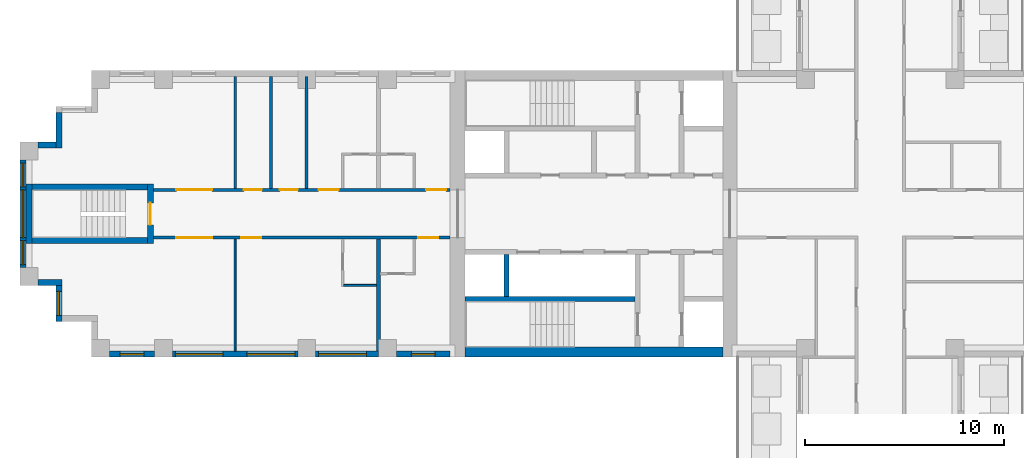
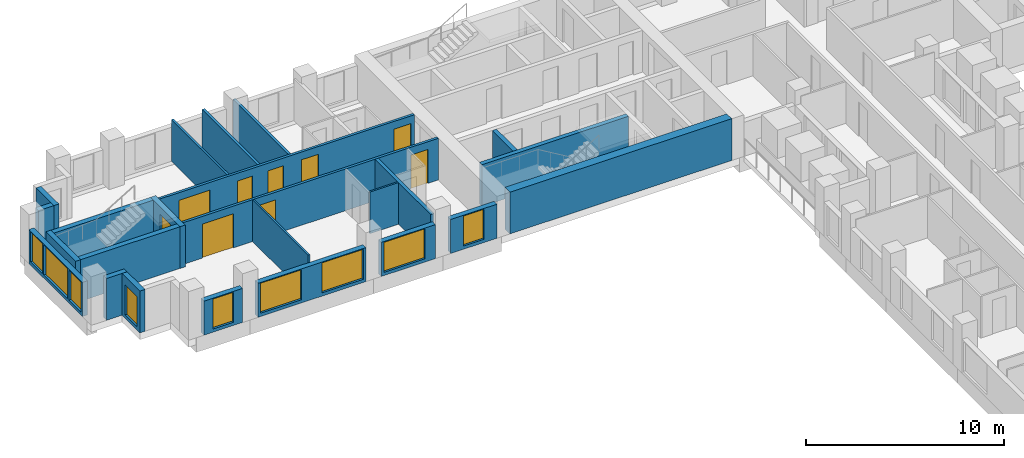
# One storey, part 5 of 15: 24 walls, 9 doors, 9 windows, 18 openings.
"""IFC4 building model written with IfcOpenShell, lengths in metres."""

import ifcopenshell
import ifcopenshell.guid

model = None  # the IFC model being written
_history = None  # IfcOwnerHistory: only IFC2X3 demands one
_inside = {}  # id of a spatial element -> (the spatial element, [elements in it])
_under = {}  # id of a project, library or spatial element -> (it, [spatial elements below it])
_declared = {}  # id of a project -> (the project, [libraries it declares])
_typed = {}  # id of a type object -> (the type object, [elements of that type])
_made_of = {}  # id of a material, layer set ... -> (it, [elements and type objects made of it])


def new_model(schema):
    """Start an empty IFC model of exactly this schema.

    Asked for "IFC4X3", IfcOpenShell would pick the latest addendum, in which some entities
    have other attributes; the version numbers below select the first issue.
    IFC2X3 requires an IfcOwnerHistory on every rooted entity: one is made here for all.
    """
    global model, _history
    if schema == "IFC4X3":
        model = ifcopenshell.file(schema_version=(4, 3, 0, 0))
    else:
        model = ifcopenshell.file(schema=schema)
    _inside.clear()
    _under.clear()
    _declared.clear()
    _typed.clear()
    _made_of.clear()
    _history = None
    if model.schema == "IFC2X3":
        org = make("IfcOrganization", Name="unknown")
        user = make(
            "IfcPersonAndOrganization",
            ThePerson=make("IfcPerson", FamilyName="unknown"),
            TheOrganization=org,
        )
        app = make(
            "IfcApplication",
            ApplicationDeveloper=org,
            Version="unknown",
            ApplicationFullName="unknown",
            ApplicationIdentifier="unknown",
        )
        _history = make(
            "IfcOwnerHistory",
            OwningUser=user,
            OwningApplication=app,
            ChangeAction="ADDED",
            CreationDate=0,
        )
    return model


def make(cls, **values):
    """One entity of the class cls with the attributes given. An attribute that is None is left unset."""
    return model.create_entity(
        cls, **{name: value for name, value in values.items() if value is not None}
    )


def rooted(cls, **values):
    """An entity with a GlobalId (a new one), such as an element, a storey or a relation."""
    return make(cls, GlobalId=ifcopenshell.guid.new(), OwnerHistory=_history, **values)


def si_unit(unit_type, name, prefix=None):
    """IfcSIUnit, for example si_unit("LENGTHUNIT", "METRE", prefix="MILLI")."""
    return make("IfcSIUnit", UnitType=unit_type, Prefix=prefix, Name=name)


def assignment(units):
    """IfcUnitAssignment: the units of a project."""
    return None if units is None else make("IfcUnitAssignment", Units=units)


def point(xyz):
    """IfcCartesianPoint."""
    return None if xyz is None else make("IfcCartesianPoint", Coordinates=xyz)


def direction(xyz):
    """IfcDirection."""
    return None if xyz is None else make("IfcDirection", DirectionRatios=xyz)


def frame(location, z_axis=None, x_axis=None):
    """IfcAxis2Placement3D, a coordinate frame: its origin and axes. An axis left out is left unset."""
    return make(
        "IfcAxis2Placement3D",
        Location=point(location),
        Axis=direction(z_axis),
        RefDirection=direction(x_axis),
    )


def frame_2d(location, x_axis=None):
    """IfcAxis2Placement2D, a coordinate frame in the plane: its origin and x axis."""
    return make(
        "IfcAxis2Placement2D", Location=point(location), RefDirection=direction(x_axis)
    )


def origin():
    """The frame at (0, 0, 0) with its axes left unset."""
    return frame((0.0, 0.0, 0.0))


def place(relative_to, where):
    """IfcLocalPlacement: puts the frame where relative to a parent placement (None: the world)."""
    return make(
        "IfcLocalPlacement", PlacementRelTo=relative_to, RelativePlacement=where
    )


def context(
    kind, dimensions, precision=None, world=None, true_north=None, identifier=None
):
    """IfcGeometricRepresentationContext, for example the 3D "Model" context."""
    return make(
        "IfcGeometricRepresentationContext",
        ContextIdentifier=identifier,
        ContextType=kind,
        CoordinateSpaceDimension=dimensions,
        Precision=precision,
        WorldCoordinateSystem=world,
        TrueNorth=true_north,
    )


def subcontext(parent, identifier, kind, view, scale=None):
    """IfcGeometricRepresentationSubContext, for example "Body" below "Model"."""
    return make(
        "IfcGeometricRepresentationSubContext",
        ContextIdentifier=identifier,
        ContextType=kind,
        ParentContext=parent,
        TargetScale=scale,
        TargetView=view,
    )


def project(units=None, contexts=None):
    """IfcProject with its units and contexts."""
    return rooted(
        "IfcProject",
        Name="project",
        RepresentationContexts=contexts,
        UnitsInContext=assignment(units),
    )


def spatial(cls, under=None, at=None, **own):
    """A site, building, storey or space (cls), placed at a placement, below another one or the project."""
    s = rooted(cls, ObjectPlacement=at, **own)
    if under is not None:
        _under.setdefault(under.id(), (under, []))[1].append(s)
    return s


def profile(cls, at=None, kind="AREA", **sizes):
    """A parametric profile (cls). Its sizes go by their IFC names, for example OverallWidth=200.0."""
    return make(cls, ProfileType=kind, Position=at, **sizes)


def rectangle(**sizes):
    """IfcRectangleProfileDef."""
    return profile("IfcRectangleProfileDef", **sizes)


def extrude(swept, where, along, depth):
    """IfcExtrudedAreaSolid: the profile swept, set in the frame where, extruded along a direction by depth."""
    return make(
        "IfcExtrudedAreaSolid",
        SweptArea=swept,
        Position=where,
        ExtrudedDirection=direction(along),
        Depth=depth,
    )


def shape(context_of_items, identifier, shape_type, items):
    """IfcShapeRepresentation: the items that make up one representation, for example the "Body"."""
    return make(
        "IfcShapeRepresentation",
        ContextOfItems=context_of_items,
        RepresentationIdentifier=identifier,
        RepresentationType=shape_type,
        Items=items,
    )


def material(Name=None, Category=None):
    """IfcMaterial."""
    return make("IfcMaterial", Name=Name, Category=Category)


def layer(
    of_material, thickness, ventilated=None, Name=None, Category=None, Priority=None
):
    """IfcMaterialLayer: one layer of a wall or slab, of a material (None: an air gap)."""
    return make(
        "IfcMaterialLayer",
        Material=of_material,
        LayerThickness=thickness,
        IsVentilated=ventilated,
        Name=Name,
        Category=Category,
        Priority=Priority,
    )


def layer_set(layers, Name=None):
    """IfcMaterialLayerSet."""
    return make("IfcMaterialLayerSet", MaterialLayers=layers, LayerSetName=Name)


def made_of(thing, what):
    """Note that an element or type object is made of a material, layer set ...; save() writes the relation."""
    if what is not None:
        _made_of.setdefault(what.id(), (what, []))[1].append(thing)
    return thing


def type_object(cls, material=None, **own):
    """A type object (cls), such as IfcWallType, which elements share."""
    return made_of(rooted(cls, **own), material)


def element(
    cls,
    number,
    at=None,
    inside=None,
    cuts=None,
    type_object=None,
    material=None,
    context=None,
    identifier="Body",
    shape_type=None,
    held_by="IfcProductDefinitionShape",
    body=None,
    shapes=None,
    **own,
):
    """One element of the class cls, such as IfcWall. Its Tag is "e" and its number.

    at: its placement. inside: the storey or other place that contains it. cuts: it is an
    opening in that element (IfcRelVoidsElement). A single representation is given by context,
    identifier, shape_type and body (its items); several are given by shapes. held_by: the class
    of the entity that holds the representations. save() writes the other relations.
    """
    e = rooted(cls, Tag="e%d" % number, ObjectPlacement=at, **own)
    if body is not None:
        shapes = [shape(context, identifier, shape_type, body)]
    if shapes is not None:
        e.Representation = make(held_by, Representations=shapes)
    if inside is not None:
        _inside.setdefault(inside.id(), (inside, []))[1].append(e)
    if cuts is not None:
        rooted(
            "IfcRelVoidsElement", RelatingBuildingElement=cuts, RelatedOpeningElement=e
        )
    if type_object is not None:
        _typed.setdefault(type_object.id(), (type_object, []))[1].append(e)
    return made_of(e, material)


def fill(opening, filler):
    """IfcRelFillsElement: the door or window that sits in an opening."""
    return rooted(
        "IfcRelFillsElement",
        RelatingOpeningElement=opening,
        RelatedBuildingElement=filler,
    )


def aggregate(whole, parts):
    """IfcRelAggregates: a whole, such as a stair, and the parts it consists of."""
    return rooted("IfcRelAggregates", RelatingObject=whole, RelatedObjects=parts)


def save(model, path):
    """Write the relations noted so far, then the file.

    IfcRelAggregates (storeys below a building ...), IfcRelContainedInSpatialStructure (elements
    in a storey), IfcRelDefinesByType, IfcRelAssociatesMaterial and IfcRelDeclares: one each for
    every whole, place, type object, material and project.
    """
    for whole, parts in _under.values():
        aggregate(whole, parts)
    for where, things in _inside.values():
        rooted(
            "IfcRelContainedInSpatialStructure",
            RelatedElements=things,
            RelatingStructure=where,
        )
    for kind, things in _typed.values():
        rooted("IfcRelDefinesByType", RelatedObjects=things, RelatingType=kind)
    for what, things in _made_of.values():
        rooted("IfcRelAssociatesMaterial", RelatedObjects=things, RelatingMaterial=what)
    for by, libraries in _declared.values():
        rooted("IfcRelDeclares", RelatingContext=by, RelatedDefinitions=libraries)
    model.write(path)


model = new_model("IFC4")

# Units and contexts
model_context = context("Model", 3, precision=1e-05, world=origin(), true_north=direction((0.0, 1.0)))
body_context = subcontext(model_context, "Body", "Model", "MODEL_VIEW")
ifc_project = project(units=[si_unit("LENGTHUNIT", "METRE"), si_unit("AREAUNIT", "SQUARE_METRE"), si_unit("VOLUMEUNIT", "CUBIC_METRE"), si_unit("PLANEANGLEUNIT", "RADIAN"), si_unit("MASSUNIT", "GRAM", prefix="KILO")], contexts=[model_context])

# Site, building, storey
site_placement = place(None, origin())
site = spatial("IfcSite", under=ifc_project, at=site_placement, CompositionType="ELEMENT")
building_placement = place(site_placement, origin())
building = spatial("IfcBuilding", under=site, at=building_placement, Name="Fustian Cross Tower", CompositionType="ELEMENT")
storey_placement = place(building_placement, frame((0.0, 0.0, 47.699951171875)))
storey = spatial("IfcBuildingStorey", under=building, at=storey_placement, Name="L14", CompositionType="ELEMENT", Elevation=47.699951171875)

# Wall, openings, doors
ifc_material_1 = material(Name="Plasterboard on steel stud", Category="steel")
ifc_layer_1 = layer(ifc_material_1, 0.14990234375)
ifc_layer_set_1 = layer_set([ifc_layer_1], Name="Plasterboard on steel stud")
wall_type_1 = type_object("IfcWallType", Name="COMPARTMENT WALL 150 EI 60", PredefinedType="PARTITIONING", material=ifc_layer_set_1)
wall_1_placement = place(storey_placement, frame((-36.5, -1.199951171875, 0.0), z_axis=(0.0, 0.0, 1.0), x_axis=(1.0, 0.0, 0.0)))
wall_1 = element("IfcWall", 1, at=wall_1_placement, inside=storey, type_object=wall_type_1, Name="Partition 1", PredefinedType="PARTITIONING", context=body_context, shape_type="SweptSolid", body=[
    extrude(rectangle(XDim=14.89990234375, YDim=0.14990234375, at=frame_2d((7.449951171875, 0.0))), origin(), (0.0, 0.0, 1.0), 2.574951171875),
])
opening_1_placement = place(wall_1_placement, frame((13.300048828125, 0.0, 0.0)))
opening_1 = element("IfcOpeningElement", 2, at=opening_1_placement, cuts=wall_1, Name="Opening D08037", PredefinedType="OPENING", context=body_context, shape_type="SweptSolid", body=[
    extrude(rectangle(XDim=1.0, YDim=2.10009765625, at=frame_2d((0.5, 1.050048828125))), frame((0.0, 0.0849609375, 0.0), z_axis=(0.0, -1.0, 0.0), x_axis=(1.0, 0.0, 0.0)), (0.0, 0.0, 1.0), 0.169921875),
])
opening_2_placement = place(wall_1_placement, frame((4.409912109375, 0.0, 0.0)))
opening_2 = element("IfcOpeningElement", 3, at=opening_2_placement, cuts=wall_1, Name="Opening D08039", PredefinedType="OPENING", context=body_context, shape_type="SweptSolid", body=[
    extrude(rectangle(XDim=1.0, YDim=2.10009765625, at=frame_2d((0.5, 1.050048828125))), frame((0.0, 0.0849609375, 0.0), z_axis=(0.0, -1.0, 0.0), x_axis=(1.0, 0.0, 0.0)), (0.0, 0.0, 1.0), 0.169921875),
])
opening_3_placement = place(wall_1_placement, frame((1.14990234375, 0.0, 0.0)))
opening_3 = element("IfcOpeningElement", 4, at=opening_3_placement, cuts=wall_1, Name="Opening D08040", PredefinedType="OPENING", context=body_context, shape_type="SweptSolid", body=[
    extrude(rectangle(XDim=1.800048828125, YDim=2.10009765625, at=frame_2d((0.89990234375, 1.050048828125))), frame((0.0, 0.0849609375, 0.0), z_axis=(0.0, -1.0, 0.0), x_axis=(1.0, 0.0, 0.0)), (0.0, 0.0, 1.0), 0.169921875),
])
ifc_material_2 = material(Name="Timber fire door set", Category="wood")
door_type_1 = type_object("IfcDoorType", Name="FIRE DOUBLE DOOR 1800 FD30S", OperationType="DOUBLE_DOOR_DOUBLE_SWING", PredefinedType="DOOR", material=ifc_material_2)
door_1_placement = place(opening_3_placement, origin())
door_1 = element("IfcDoor", 5, at=door_1_placement, inside=storey, type_object=door_type_1, Name="Door D08040", OperationType="DOUBLE_DOOR_DOUBLE_SWING", OverallHeight=2.10009765625, OverallWidth=1.800048828125, PredefinedType="DOOR", context=body_context, shape_type="SweptSolid", body=[
    extrude(rectangle(XDim=1.800048828125, YDim=2.10009765625, at=frame_2d((0.89990234375, 1.050048828125))), frame((0.0, 0.02490234375, 0.0), z_axis=(0.0, -1.0, 0.0), x_axis=(1.0, 0.0, 0.0)), (0.0, 0.0, 1.0), 0.050048828125),
])
fill(opening_3, door_1)
ifc_material_3 = material(Name="Timber fire door set", Category="wood")
door_type_2 = type_object("IfcDoorType", Name="FIRE SWING DOOR 1000 FD30S", OperationType="SINGLE_SWING_LEFT", PredefinedType="DOOR", material=ifc_material_3)
door_2_placement = place(opening_1_placement, frame((1.0, 0.0, 0.0), z_axis=(0.0, 0.0, 1.0), x_axis=(-1.0, 0.0, 0.0)))
door_2 = element("IfcDoor", 6, at=door_2_placement, inside=storey, type_object=door_type_2, Name="Door D08037", OperationType="SINGLE_SWING_RIGHT", OverallHeight=2.10009765625, OverallWidth=1.0, PredefinedType="DOOR", context=body_context, shape_type="SweptSolid", body=[
    extrude(rectangle(XDim=1.0, YDim=2.10009765625, at=frame_2d((0.5, 1.050048828125))), frame((0.0, 0.02490234375, 0.0), z_axis=(0.0, -1.0, 0.0), x_axis=(1.0, 0.0, 0.0)), (0.0, 0.0, 1.0), 0.050048828125),
])
fill(opening_1, door_2)
door_3_placement = place(opening_2_placement, frame((1.0, 0.0, 0.0), z_axis=(0.0, 0.0, 1.0), x_axis=(-1.0, 0.0, 0.0)))
door_3 = element("IfcDoor", 7, at=door_3_placement, inside=storey, type_object=door_type_2, Name="Door D08039", OperationType="SINGLE_SWING_RIGHT", OverallHeight=2.10009765625, OverallWidth=1.0, PredefinedType="DOOR", context=body_context, shape_type="SweptSolid", body=[
    extrude(rectangle(XDim=1.0, YDim=2.10009765625, at=frame_2d((0.5, 1.050048828125))), frame((0.0, 0.02490234375, 0.0), z_axis=(0.0, -1.0, 0.0), x_axis=(1.0, 0.0, 0.0)), (0.0, 0.0, 1.0), 0.050048828125),
])
fill(opening_2, door_3)

wall_2_placement = place(storey_placement, frame((-36.5, 1.199951171875, 0.0), z_axis=(0.0, 0.0, 1.0), x_axis=(1.0, 0.0, 0.0)))
wall_2 = element("IfcWall", 8, at=wall_2_placement, inside=storey, type_object=wall_type_1, Name="Partition 2", PredefinedType="PARTITIONING", context=body_context, shape_type="SweptSolid", body=[
    extrude(rectangle(XDim=14.89990234375, YDim=0.14990234375, at=frame_2d((7.449951171875, 0.0))), origin(), (0.0, 0.0, 1.0), 2.574951171875),
])
opening_4_placement = place(wall_2_placement, frame((13.699951171875, 0.0, 0.0)))
opening_4 = element("IfcOpeningElement", 9, at=opening_4_placement, cuts=wall_2, Name="Opening D08042", PredefinedType="OPENING", context=body_context, shape_type="SweptSolid", body=[
    extrude(rectangle(XDim=1.0, YDim=2.10009765625, at=frame_2d((0.5, 1.050048828125))), frame((0.0, 0.0849609375, 0.0), z_axis=(0.0, -1.0, 0.0), x_axis=(1.0, 0.0, 0.0)), (0.0, 0.0, 1.0), 0.169921875),
])
opening_5_placement = place(wall_2_placement, frame((8.300048828125, 0.0, 0.0)))
opening_5 = element("IfcOpeningElement", 10, at=opening_5_placement, cuts=wall_2, Name="Opening D08044", PredefinedType="OPENING", context=body_context, shape_type="SweptSolid", body=[
    extrude(rectangle(XDim=1.0, YDim=2.10009765625, at=frame_2d((0.5, 1.050048828125))), frame((0.0, 0.0849609375, 0.0), z_axis=(0.0, -1.0, 0.0), x_axis=(1.0, 0.0, 0.0)), (0.0, 0.0, 1.0), 0.169921875),
])
opening_6_placement = place(wall_2_placement, frame((6.35009765625, 0.0, 0.0)))
opening_6 = element("IfcOpeningElement", 11, at=opening_6_placement, cuts=wall_2, Name="Opening D08045", PredefinedType="OPENING", context=body_context, shape_type="SweptSolid", body=[
    extrude(rectangle(XDim=0.89990234375, YDim=2.10009765625, at=frame_2d((0.449951171875, 1.050048828125))), frame((0.0, 0.0849609375, 0.0), z_axis=(0.0, -1.0, 0.0), x_axis=(1.0, 0.0, 0.0)), (0.0, 0.0, 1.0), 0.169921875),
])
opening_7_placement = place(wall_2_placement, frame((4.550048828125, 0.0, 0.0)))
opening_7 = element("IfcOpeningElement", 12, at=opening_7_placement, cuts=wall_2, Name="Opening D08046", PredefinedType="OPENING", context=body_context, shape_type="SweptSolid", body=[
    extrude(rectangle(XDim=0.89990234375, YDim=2.10009765625, at=frame_2d((0.449951171875, 1.050048828125))), frame((0.0, 0.0849609375, 0.0), z_axis=(0.0, -1.0, 0.0), x_axis=(1.0, 0.0, 0.0)), (0.0, 0.0, 1.0), 0.169921875),
])
opening_8_placement = place(wall_2_placement, frame((1.14990234375, 0.0, 0.0)))
opening_8 = element("IfcOpeningElement", 13, at=opening_8_placement, cuts=wall_2, Name="Opening D08047", PredefinedType="OPENING", context=body_context, shape_type="SweptSolid", body=[
    extrude(rectangle(XDim=1.800048828125, YDim=2.10009765625, at=frame_2d((0.89990234375, 1.050048828125))), frame((0.0, 0.0849609375, 0.0), z_axis=(0.0, -1.0, 0.0), x_axis=(1.0, 0.0, 0.0)), (0.0, 0.0, 1.0), 0.169921875),
])
door_4_placement = place(opening_8_placement, frame((1.800048828125, 0.0, 0.0), z_axis=(0.0, 0.0, 1.0), x_axis=(-1.0, 0.0, 0.0)))
door_4 = element("IfcDoor", 14, at=door_4_placement, inside=storey, type_object=door_type_1, Name="Door D08047", OperationType="DOUBLE_DOOR_DOUBLE_SWING", OverallHeight=2.10009765625, OverallWidth=1.800048828125, PredefinedType="DOOR", context=body_context, shape_type="SweptSolid", body=[
    extrude(rectangle(XDim=1.800048828125, YDim=2.10009765625, at=frame_2d((0.89990234375, 1.050048828125))), frame((0.0, 0.02490234375, 0.0), z_axis=(0.0, -1.0, 0.0), x_axis=(1.0, 0.0, 0.0)), (0.0, 0.0, 1.0), 0.050048828125),
])
fill(opening_8, door_4)
door_5_placement = place(opening_4_placement, origin())
door_5 = element("IfcDoor", 15, at=door_5_placement, inside=storey, type_object=door_type_2, Name="Door D08042", OperationType="SINGLE_SWING_RIGHT", OverallHeight=2.10009765625, OverallWidth=1.0, PredefinedType="DOOR", context=body_context, shape_type="SweptSolid", body=[
    extrude(rectangle(XDim=1.0, YDim=2.10009765625, at=frame_2d((0.5, 1.050048828125))), frame((0.0, 0.02490234375, 0.0), z_axis=(0.0, -1.0, 0.0), x_axis=(1.0, 0.0, 0.0)), (0.0, 0.0, 1.0), 0.050048828125),
])
fill(opening_4, door_5)
door_6_placement = place(opening_5_placement, origin())
door_6 = element("IfcDoor", 16, at=door_6_placement, inside=storey, type_object=door_type_2, Name="Door D08044", OperationType="SINGLE_SWING_RIGHT", OverallHeight=2.10009765625, OverallWidth=1.0, PredefinedType="DOOR", context=body_context, shape_type="SweptSolid", body=[
    extrude(rectangle(XDim=1.0, YDim=2.10009765625, at=frame_2d((0.5, 1.050048828125))), frame((0.0, 0.02490234375, 0.0), z_axis=(0.0, -1.0, 0.0), x_axis=(1.0, 0.0, 0.0)), (0.0, 0.0, 1.0), 0.050048828125),
])
fill(opening_5, door_6)
ifc_material_4 = material(Name="Timber fire door set", Category="wood")
door_type_3 = type_object("IfcDoorType", Name="FIRE SWING DOOR 900 FD30S", OperationType="SINGLE_SWING_LEFT", PredefinedType="DOOR", material=ifc_material_4)
door_7_placement = place(opening_6_placement, origin())
door_7 = element("IfcDoor", 17, at=door_7_placement, inside=storey, type_object=door_type_3, Name="Door D08045", OperationType="SINGLE_SWING_RIGHT", OverallHeight=2.10009765625, OverallWidth=0.89990234375, PredefinedType="DOOR", context=body_context, shape_type="SweptSolid", body=[
    extrude(rectangle(XDim=0.89990234375, YDim=2.10009765625, at=frame_2d((0.449951171875, 1.050048828125))), frame((0.0, 0.02490234375, 0.0), z_axis=(0.0, -1.0, 0.0), x_axis=(1.0, 0.0, 0.0)), (0.0, 0.0, 1.0), 0.050048828125),
])
fill(opening_6, door_7)
door_8_placement = place(opening_7_placement, origin())
door_8 = element("IfcDoor", 18, at=door_8_placement, inside=storey, type_object=door_type_3, Name="Door D08046", OperationType="SINGLE_SWING_RIGHT", OverallHeight=2.10009765625, OverallWidth=0.89990234375, PredefinedType="DOOR", context=body_context, shape_type="SweptSolid", body=[
    extrude(rectangle(XDim=0.89990234375, YDim=2.10009765625, at=frame_2d((0.449951171875, 1.050048828125))), frame((0.0, 0.02490234375, 0.0), z_axis=(0.0, -1.0, 0.0), x_axis=(1.0, 0.0, 0.0)), (0.0, 0.0, 1.0), 0.050048828125),
])
fill(opening_7, door_8)

# Walls
for number, where, z_axis, x_axis, name in (
    (19, (-30.60009765625, 1.27490234375, 0.0), (0.0, 0.0, 1.0), (0.0, 1.0, 0.0), "Partition 5"),
    (20, (-28.800048828125, 1.27490234375, 0.0), (0.0, 0.0, 1.0), (0.0, 1.0, 0.0), "Partition 6"),
):
    element("IfcWall", number, at=place(storey_placement, frame(where, z_axis=z_axis, x_axis=x_axis)), inside=storey, type_object=wall_type_1, Name=name, PredefinedType="PARTITIONING", context=body_context, shape_type="SweptSolid", body=[
        extrude(rectangle(XDim=5.625, YDim=0.14990234375, at=frame_2d((2.8125, 0.0))), origin(), (0.0, 0.0, 1.0), 2.574951171875),
    ])
ifc_material_5 = material(Name="Concrete C80/95", Category="concrete")
ifc_layer_2 = layer(ifc_material_5, 0.5)
ifc_layer_set_2 = layer_set([ifc_layer_2], Name="Concrete C80/95")
wall_type_2 = type_object("IfcWallType", Name="CORE FACADE WALL 500 C80/95", PredefinedType="SHEAR", material=ifc_layer_set_2)
wall_3_placement = place(storey_placement, frame((-7.89990234375, -6.949951171875, 0.0), z_axis=(0.0, 0.0, 1.0), x_axis=(-1.0, 0.0, 0.0)))
element("IfcWall", 21, at=wall_3_placement, inside=storey, type_object=wall_type_2, Name="Core facade wall", PredefinedType="SHEAR", context=body_context, shape_type="SweptSolid", body=[
    extrude(rectangle(XDim=12.9501953125, YDim=0.5, at=frame_2d((6.47509765625, 0.0))), origin(), (0.0, 0.0, 1.0), 2.574951171875),
])
ifc_material_6 = material(Name="Concrete C50/60", Category="concrete")
ifc_layer_3 = layer(ifc_material_6, 0.25)
ifc_layer_set_3 = layer_set([ifc_layer_3], Name="Concrete C50/60")
wall_type_3 = type_object("IfcWallType", Name="CORE SHAFT WALL 250 C50/60", PredefinedType="SHEAR", material=ifc_layer_set_3)
wall_4_placement = place(storey_placement, frame((-12.300048828125, -4.27490234375, 0.0), z_axis=(0.0, 0.0, 1.0), x_axis=(-1.0, 0.0, 0.0)))
element("IfcWall", 22, at=wall_4_placement, inside=storey, type_object=wall_type_3, Name="Core shaft wall", PredefinedType="SHEAR", context=body_context, shape_type="SweptSolid", body=[
    extrude(rectangle(XDim=8.550048828125, YDim=0.25, at=frame_2d((4.27490234375, 0.0))), origin(), (0.0, 0.0, 1.0), 2.574951171875),
])
ifc_material_7 = material(Name="Plasterboard on steel stud", Category="steel")
ifc_layer_4 = layer(ifc_material_7, 0.10009765625)
ifc_layer_set_4 = layer_set([ifc_layer_4], Name="Plasterboard on steel stud")
wall_type_4 = type_object("IfcWallType", Name="PARTITION 100 STUD", PredefinedType="PARTITIONING", material=ifc_layer_set_4)
wall_5_placement = place(storey_placement, frame((-32.39990234375, -6.89990234375, 0.0), z_axis=(0.0, 0.0, 1.0), x_axis=(0.0, 1.0, 0.0)))
element("IfcWall", 23, at=wall_5_placement, inside=storey, type_object=wall_type_4, Name="Partition 3", PredefinedType="PARTITIONING", context=body_context, shape_type="SweptSolid", body=[
    extrude(rectangle(XDim=5.625, YDim=0.10009765625, at=frame_2d((2.8125, 0.0))), origin(), (0.0, 0.0, 1.0), 2.574951171875),
])
wall_6_placement = place(storey_placement, frame((-26.949951171875, -3.60009765625, 0.0), z_axis=(0.0, 0.0, 1.0), x_axis=(1.0, 0.0, 0.0)))
element("IfcWall", 24, at=wall_6_placement, inside=storey, type_object=wall_type_4, Name="Partition 8", PredefinedType="PARTITIONING", context=body_context, shape_type="SweptSolid", body=[
    extrude(rectangle(XDim=1.64990234375, YDim=0.10009765625, at=frame_2d((0.824951171875, 0.0))), origin(), (0.0, 0.0, 1.0), 2.574951171875),
])
ifc_material_8 = material(Name="Plasterboard on steel stud", Category="steel")
ifc_layer_5 = layer(ifc_material_8, 0.199951171875)
ifc_layer_set_5 = layer_set([ifc_layer_5], Name="Plasterboard on steel stud")
wall_type_5 = type_object("IfcWallType", Name="PARTY WALL 200 EI 60", PredefinedType="PARTITIONING", material=ifc_layer_set_5)
wall_7_placement = place(storey_placement, frame((-25.199951171875, -6.89990234375, 0.0), z_axis=(0.0, 0.0, 1.0), x_axis=(0.0, 1.0, 0.0)))
element("IfcWall", 25, at=wall_7_placement, inside=storey, type_object=wall_type_5, Name="Partition 11", PredefinedType="PARTITIONING", context=body_context, shape_type="SweptSolid", body=[
    extrude(rectangle(XDim=5.625, YDim=0.199951171875, at=frame_2d((2.8125, 0.0))), origin(), (0.0, 0.0, 1.0), 2.574951171875),
])
ifc_material_9 = material(Name="Concrete C40/50", Category="concrete")
ifc_layer_6 = layer(ifc_material_9, 0.25)
ifc_layer_set_6 = layer_set([ifc_layer_6], Name="Concrete C40/50")
wall_type_6 = type_object("IfcWallType", Name="SHAFT PARTITION WALL 250 C40/50", PredefinedType="PARTITIONING", material=ifc_layer_set_6)
wall_8_placement = place(storey_placement, frame((-18.77490234375, -2.050048828125, 0.0), z_axis=(0.0, 0.0, 1.0), x_axis=(0.0, -1.0, 0.0)))
element("IfcWall", 26, at=wall_8_placement, inside=storey, type_object=wall_type_6, Name="Core shaft wall", PredefinedType="PARTITIONING", context=body_context, shape_type="SweptSolid", body=[
    extrude(rectangle(XDim=2.099853515625, YDim=0.25, at=frame_2d((1.0498046875, 0.0))), origin(), (0.0, 0.0, 1.0), 2.574951171875),
])

# Wall, opening, door
ifc_material_10 = material(Name="Concrete C50/60", Category="concrete")
ifc_layer_7 = layer(ifc_material_10, 0.300048828125)
ifc_layer_set_7 = layer_set([ifc_layer_7], Name="Concrete C50/60")
wall_type_7 = type_object("IfcWallType", Name="STAIR ENCLOSURE WALL 300 C50/60", PredefinedType="SHEAR", material=ifc_layer_set_7)
wall_9_placement = place(storey_placement, frame((-36.64990234375, -1.5, 0.0), z_axis=(0.0, 0.0, 1.0), x_axis=(0.0, 1.0, 0.0)))
wall_9 = element("IfcWall", 27, at=wall_9_placement, inside=storey, type_object=wall_type_7, Name="Stair enclosure wall", PredefinedType="SHEAR", context=body_context, shape_type="SweptSolid", body=[
    extrude(rectangle(XDim=3.0, YDim=0.300048828125, at=frame_2d((1.5, 0.0))), origin(), (0.0, 0.0, 1.0), 2.574951171875),
])
opening_9_placement = place(wall_9_placement, frame((0.949951171875, 0.0, 0.0)))
opening_9 = element("IfcOpeningElement", 28, at=opening_9_placement, cuts=wall_9, Name="Opening CD-05-34", PredefinedType="OPENING", context=body_context, shape_type="SweptSolid", body=[
    extrude(rectangle(XDim=1.10009765625, YDim=2.10009765625, at=frame_2d((0.550048828125, 1.050048828125))), frame((0.0, 0.159912109375, 0.0), z_axis=(0.0, -1.0, 0.0), x_axis=(1.0, 0.0, 0.0)), (0.0, 0.0, 1.0), 0.320068359375),
])
ifc_material_11 = material(Name="Steel", Category="steel")
door_type_4 = type_object("IfcDoorType", Name="FIRE DOOR FD60S 1100X2100", OperationType="SINGLE_SWING_LEFT", PredefinedType="DOOR", material=ifc_material_11)
door_9_placement = place(opening_9_placement, origin())
door_9 = element("IfcDoor", 29, at=door_9_placement, inside=storey, type_object=door_type_4, Name="Core door CD-05-34", OperationType="SINGLE_SWING_LEFT", OverallHeight=2.10009765625, OverallWidth=1.10009765625, PredefinedType="DOOR", context=body_context, shape_type="SweptSolid", body=[
    extrude(rectangle(XDim=1.10009765625, YDim=2.10009765625, at=frame_2d((0.550048828125, 1.050048828125))), frame((0.0, 0.02490234375, 0.0), z_axis=(0.0, -1.0, 0.0), x_axis=(1.0, 0.0, 0.0)), (0.0, 0.0, 1.0), 0.050048828125),
])
fill(opening_9, door_9)

# Walls
wall_10_placement = place(storey_placement, frame((-42.75, -1.5, 0.0), z_axis=(0.0, 0.0, 1.0), x_axis=(0.0, 1.0, 0.0)))
element("IfcWall", 30, at=wall_10_placement, inside=storey, type_object=wall_type_7, Name="Stair enclosure wall", PredefinedType="SHEAR", context=body_context, shape_type="SweptSolid", body=[
    extrude(rectangle(XDim=3.0, YDim=0.300048828125, at=frame_2d((1.5, 0.0))), origin(), (0.0, 0.0, 1.0), 2.574951171875),
])
for number, where, z_axis, x_axis, name in (
    (31, (-36.800048828125, -1.35009765625, 0.0), (0.0, 0.0, 1.0), (-1.0, 0.0, 0.0), "Stair enclosure wall"),
    (32, (-36.800048828125, 1.35009765625, 0.0), (0.0, 0.0, 1.0), (-1.0, 0.0, 0.0), "Stair enclosure wall"),
):
    element("IfcWall", number, at=place(storey_placement, frame(where, z_axis=z_axis, x_axis=x_axis)), inside=storey, type_object=wall_type_7, Name=name, PredefinedType="SHEAR", context=body_context, shape_type="SweptSolid", body=[
        extrude(rectangle(XDim=5.800048828125, YDim=0.300048828125, at=frame_2d((2.89990234375, 0.0))), origin(), (0.0, 0.0, 1.0), 2.574951171875),
    ])
ifc_material_12 = material(Name="Plasterboard on steel stud", Category="steel")
ifc_layer_8 = layer(ifc_material_12, 0.125)
ifc_layer_set_8 = layer_set([ifc_layer_8], Name="Plasterboard on steel stud")
wall_type_8 = type_object("IfcWallType", Name="WET WALL 125 STUD", PredefinedType="PARTITIONING", material=ifc_layer_set_8)
wall_11_placement = place(storey_placement, frame((-32.39990234375, 1.27490234375, 0.0), z_axis=(0.0, 0.0, 1.0), x_axis=(0.0, 1.0, 0.0)))
element("IfcWall", 33, at=wall_11_placement, inside=storey, type_object=wall_type_8, Name="Partition 4", PredefinedType="PARTITIONING", context=body_context, shape_type="SweptSolid", body=[
    extrude(rectangle(XDim=5.625, YDim=0.125, at=frame_2d((2.8125, 0.0))), origin(), (0.0, 0.0, 1.0), 2.574951171875),
])
ifc_material_13 = material(Name="Dark aluminium cladding on insulated backing wall", Category="aluminium")
ifc_layer_9 = layer(ifc_material_13, 0.300048828125)
ifc_layer_set_9 = layer_set([ifc_layer_9], Name="Dark aluminium cladding on insulated backing wall")
wall_type_9 = type_object("IfcWallType", Name="XW1 EXTERNAL WALL 300", PredefinedType="SOLIDWALL", material=ifc_layer_set_9)
wall_12_placement = place(storey_placement, frame((-41.25, 5.10009765625, 0.0), z_axis=(0.0, 0.0, 1.0), x_axis=(0.0, -1.0, 0.0)))
element("IfcWall", 34, at=wall_12_placement, inside=storey, type_object=wall_type_9, Name="External wall", PredefinedType="SOLIDWALL", context=body_context, shape_type="SweptSolid", body=[
    extrude(rectangle(XDim=1.800048828125, YDim=0.300048828125, at=frame_2d((0.89990234375, 0.0))), origin(), (0.0, 0.0, 1.0), 2.574951171875),
])
wall_13_placement = place(storey_placement, frame((-41.39990234375, 3.449951171875, 0.0), z_axis=(0.0, 0.0, 1.0), x_axis=(-1.0, 0.0, 0.0)))
element("IfcWall", 35, at=wall_13_placement, inside=storey, type_object=wall_type_9, Name="External wall", PredefinedType="SOLIDWALL", context=body_context, shape_type="SweptSolid", body=[
    extrude(rectangle(XDim=0.900146484375, YDim=0.300048828125, at=frame_2d((0.4501953125, 0.0))), origin(), (0.0, 0.0, 1.0), 2.574951171875),
])

# Wall, openings, windows
wall_14_placement = place(storey_placement, frame((-43.050048828125, 2.699951171875, 0.0), z_axis=(0.0, 0.0, 1.0), x_axis=(0.0, -1.0, 0.0)))
wall_14 = element("IfcWall", 36, at=wall_14_placement, inside=storey, type_object=wall_type_9, Name="External wall", PredefinedType="SOLIDWALL", context=body_context, shape_type="SweptSolid", body=[
    extrude(rectangle(XDim=5.39990234375, YDim=0.300048828125, at=frame_2d((2.699951171875, 0.0))), origin(), (0.0, 0.0, 1.0), 2.10009765625),
])
opening_10_placement = place(wall_14_placement, frame((1.5, 0.0, 0.199951171875)))
opening_10 = element("IfcOpeningElement", 37, at=opening_10_placement, cuts=wall_14, Name="Opening WN1", PredefinedType="OPENING", context=body_context, shape_type="SweptSolid", body=[
    extrude(rectangle(XDim=2.39990234375, YDim=1.85009765625, at=frame_2d((1.199951171875, 0.925048828125))), frame((0.0, 0.159912109375, 0.0), z_axis=(0.0, -1.0, 0.0), x_axis=(1.0, 0.0, 0.0)), (0.0, 0.0, 1.0), 0.320068359375),
])
opening_11_placement = place(wall_14_placement, frame((0.14990234375, 0.0, 0.199951171875)))
opening_11 = element("IfcOpeningElement", 38, at=opening_11_placement, cuts=wall_14, Name="Opening WN3", PredefinedType="OPENING", context=body_context, shape_type="SweptSolid", body=[
    extrude(rectangle(XDim=1.199951171875, YDim=1.85009765625, at=frame_2d((0.60009765625, 0.925048828125))), frame((0.0, 0.159912109375, 0.0), z_axis=(0.0, -1.0, 0.0), x_axis=(1.0, 0.0, 0.0)), (0.0, 0.0, 1.0), 0.320068359375),
])
opening_12_placement = place(wall_14_placement, frame((4.050048828125, 0.0, 0.199951171875)))
opening_12 = element("IfcOpeningElement", 39, at=opening_12_placement, cuts=wall_14, Name="Opening WN3", PredefinedType="OPENING", context=body_context, shape_type="SweptSolid", body=[
    extrude(rectangle(XDim=1.199951171875, YDim=1.85009765625, at=frame_2d((0.60009765625, 0.925048828125))), frame((0.0, 0.159912109375, 0.0), z_axis=(0.0, -1.0, 0.0), x_axis=(1.0, 0.0, 0.0)), (0.0, 0.0, 1.0), 0.320068359375),
])
ifc_material_14 = material(Name="Dark anodised aluminium and double glazing", Category="aluminium")
window_type_1 = type_object("IfcWindowType", Name="WN1 WINDOW 2400X1850", PartitioningType="SINGLE_PANEL", PredefinedType="WINDOW", material=ifc_material_14)
window_1_placement = place(opening_10_placement, origin())
window_1 = element("IfcWindow", 40, at=window_1_placement, inside=storey, type_object=window_type_1, Name="Window", OverallHeight=1.85009765625, OverallWidth=2.39990234375, PartitioningType="SINGLE_PANEL", PredefinedType="WINDOW", context=body_context, shape_type="SweptSolid", body=[
    extrude(rectangle(XDim=2.39990234375, YDim=1.85009765625, at=frame_2d((1.199951171875, 0.925048828125))), frame((0.0, 0.030029296875, 0.0), z_axis=(0.0, -1.0, 0.0), x_axis=(1.0, 0.0, 0.0)), (0.0, 0.0, 1.0), 0.06005859375),
])
fill(opening_10, window_1)
ifc_material_15 = material(Name="Dark anodised aluminium and double glazing", Category="aluminium")
window_type_2 = type_object("IfcWindowType", Name="WN3 WINDOW 1200X1850", PartitioningType="SINGLE_PANEL", PredefinedType="WINDOW", material=ifc_material_15)
window_2_placement = place(opening_11_placement, origin())
window_2 = element("IfcWindow", 41, at=window_2_placement, inside=storey, type_object=window_type_2, Name="Window", OverallHeight=1.85009765625, OverallWidth=1.199951171875, PartitioningType="SINGLE_PANEL", PredefinedType="WINDOW", context=body_context, shape_type="SweptSolid", body=[
    extrude(rectangle(XDim=1.199951171875, YDim=1.85009765625, at=frame_2d((0.60009765625, 0.925048828125))), frame((0.0, 0.030029296875, 0.0), z_axis=(0.0, -1.0, 0.0), x_axis=(1.0, 0.0, 0.0)), (0.0, 0.0, 1.0), 0.06005859375),
])
fill(opening_11, window_2)
window_3_placement = place(opening_12_placement, origin())
window_3 = element("IfcWindow", 42, at=window_3_placement, inside=storey, type_object=window_type_2, Name="Window", OverallHeight=1.85009765625, OverallWidth=1.199951171875, PartitioningType="SINGLE_PANEL", PredefinedType="WINDOW", context=body_context, shape_type="SweptSolid", body=[
    extrude(rectangle(XDim=1.199951171875, YDim=1.85009765625, at=frame_2d((0.60009765625, 0.925048828125))), frame((0.0, 0.030029296875, 0.0), z_axis=(0.0, -1.0, 0.0), x_axis=(1.0, 0.0, 0.0)), (0.0, 0.0, 1.0), 0.06005859375),
])
fill(opening_12, window_3)

# Wall
wall_15_placement = place(storey_placement, frame((-42.300048828125, -3.449951171875, 0.0), z_axis=(0.0, 0.0, 1.0), x_axis=(1.0, 0.0, 0.0)))
element("IfcWall", 43, at=wall_15_placement, inside=storey, type_object=wall_type_9, Name="External wall", PredefinedType="SOLIDWALL", context=body_context, shape_type="SweptSolid", body=[
    extrude(rectangle(XDim=1.199951171875, YDim=0.300048828125, at=frame_2d((0.60009765625, 0.0))), origin(), (0.0, 0.0, 1.0), 2.574951171875),
])

# Wall, opening, window
wall_16_placement = place(storey_placement, frame((-41.25, -3.60009765625, 0.0), z_axis=(0.0, 0.0, 1.0), x_axis=(0.0, -1.0, 0.0)))
wall_16 = element("IfcWall", 44, at=wall_16_placement, inside=storey, type_object=wall_type_9, Name="External wall", PredefinedType="SOLIDWALL", context=body_context, shape_type="SweptSolid", body=[
    extrude(rectangle(XDim=1.7998046875, YDim=0.300048828125, at=frame_2d((0.89990234375, 0.0))), origin(), (0.0, 0.0, 1.0), 2.574951171875),
])
opening_13_placement = place(wall_16_placement, frame((0.300048828125, 0.0, 0.199951171875)))
opening_13 = element("IfcOpeningElement", 45, at=opening_13_placement, cuts=wall_16, Name="Opening WN3", PredefinedType="OPENING", context=body_context, shape_type="SweptSolid", body=[
    extrude(rectangle(XDim=1.199951171875, YDim=1.85009765625, at=frame_2d((0.60009765625, 0.925048828125))), frame((0.0, 0.159912109375, 0.0), z_axis=(0.0, -1.0, 0.0), x_axis=(1.0, 0.0, 0.0)), (0.0, 0.0, 1.0), 0.320068359375),
])
window_4_placement = place(opening_13_placement, origin())
window_4 = element("IfcWindow", 46, at=window_4_placement, inside=storey, type_object=window_type_2, Name="Window", OverallHeight=1.85009765625, OverallWidth=1.199951171875, PartitioningType="SINGLE_PANEL", PredefinedType="WINDOW", context=body_context, shape_type="SweptSolid", body=[
    extrude(rectangle(XDim=1.199951171875, YDim=1.85009765625, at=frame_2d((0.60009765625, 0.925048828125))), frame((0.0, 0.030029296875, 0.0), z_axis=(0.0, -1.0, 0.0), x_axis=(1.0, 0.0, 0.0)), (0.0, 0.0, 1.0), 0.06005859375),
])
fill(opening_13, window_4)

wall_17_placement = place(storey_placement, frame((-38.699951171875, -7.050048828125, 0.0), z_axis=(0.0, 0.0, 1.0), x_axis=(1.0, 0.0, 0.0)))
wall_17 = element("IfcWall", 47, at=wall_17_placement, inside=storey, type_object=wall_type_9, Name="External wall", PredefinedType="SOLIDWALL", context=body_context, shape_type="SweptSolid", body=[
    extrude(rectangle(XDim=2.25, YDim=0.300048828125, at=frame_2d((1.125, 0.0))), origin(), (0.0, 0.0, 1.0), 2.10009765625),
])
opening_14_placement = place(wall_17_placement, frame((0.52490234375, 0.0, 0.199951171875)))
opening_14 = element("IfcOpeningElement", 48, at=opening_14_placement, cuts=wall_17, Name="Opening WN3", PredefinedType="OPENING", context=body_context, shape_type="SweptSolid", body=[
    extrude(rectangle(XDim=1.199951171875, YDim=1.85009765625, at=frame_2d((0.60009765625, 0.925048828125))), frame((0.0, 0.159912109375, 0.0), z_axis=(0.0, -1.0, 0.0), x_axis=(1.0, 0.0, 0.0)), (0.0, 0.0, 1.0), 0.320068359375),
])
window_5_placement = place(opening_14_placement, origin())
window_5 = element("IfcWindow", 49, at=window_5_placement, inside=storey, type_object=window_type_2, Name="Window", OverallHeight=1.85009765625, OverallWidth=1.199951171875, PartitioningType="SINGLE_PANEL", PredefinedType="WINDOW", context=body_context, shape_type="SweptSolid", body=[
    extrude(rectangle(XDim=1.199951171875, YDim=1.85009765625, at=frame_2d((0.60009765625, 0.925048828125))), frame((0.0, 0.030029296875, 0.0), z_axis=(0.0, -1.0, 0.0), x_axis=(1.0, 0.0, 0.0)), (0.0, 0.0, 1.0), 0.06005859375),
])
fill(opening_14, window_5)

# Wall, openings, windows
wall_18_placement = place(storey_placement, frame((-35.550048828125, -7.050048828125, 0.0), z_axis=(0.0, 0.0, 1.0), x_axis=(1.0, 0.0, 0.0)))
wall_18 = element("IfcWall", 50, at=wall_18_placement, inside=storey, type_object=wall_type_9, Name="External wall", PredefinedType="SOLIDWALL", context=body_context, shape_type="SweptSolid", body=[
    extrude(rectangle(XDim=6.300048828125, YDim=0.300048828125, at=frame_2d((3.14990234375, 0.0))), origin(), (0.0, 0.0, 1.0), 2.10009765625),
])
opening_15_placement = place(wall_18_placement, frame((0.14990234375, 0.0, 0.199951171875)))
opening_15 = element("IfcOpeningElement", 51, at=opening_15_placement, cuts=wall_18, Name="Opening WN1", PredefinedType="OPENING", context=body_context, shape_type="SweptSolid", body=[
    extrude(rectangle(XDim=2.39990234375, YDim=1.85009765625, at=frame_2d((1.199951171875, 0.925048828125))), frame((0.0, 0.159912109375, 0.0), z_axis=(0.0, -1.0, 0.0), x_axis=(1.0, 0.0, 0.0)), (0.0, 0.0, 1.0), 0.320068359375),
])
opening_16_placement = place(wall_18_placement, frame((3.75, 0.0, 0.199951171875)))
opening_16 = element("IfcOpeningElement", 52, at=opening_16_placement, cuts=wall_18, Name="Opening WN1", PredefinedType="OPENING", context=body_context, shape_type="SweptSolid", body=[
    extrude(rectangle(XDim=2.39990234375, YDim=1.85009765625, at=frame_2d((1.199951171875, 0.925048828125))), frame((0.0, 0.159912109375, 0.0), z_axis=(0.0, -1.0, 0.0), x_axis=(1.0, 0.0, 0.0)), (0.0, 0.0, 1.0), 0.320068359375),
])
window_6_placement = place(opening_15_placement, origin())
window_6 = element("IfcWindow", 53, at=window_6_placement, inside=storey, type_object=window_type_1, Name="Window", OverallHeight=1.85009765625, OverallWidth=2.39990234375, PartitioningType="SINGLE_PANEL", PredefinedType="WINDOW", context=body_context, shape_type="SweptSolid", body=[
    extrude(rectangle(XDim=2.39990234375, YDim=1.85009765625, at=frame_2d((1.199951171875, 0.925048828125))), frame((0.0, 0.030029296875, 0.0), z_axis=(0.0, -1.0, 0.0), x_axis=(1.0, 0.0, 0.0)), (0.0, 0.0, 1.0), 0.06005859375),
])
fill(opening_15, window_6)
window_7_placement = place(opening_16_placement, origin())
window_7 = element("IfcWindow", 54, at=window_7_placement, inside=storey, type_object=window_type_1, Name="Window", OverallHeight=1.85009765625, OverallWidth=2.39990234375, PartitioningType="SINGLE_PANEL", PredefinedType="WINDOW", context=body_context, shape_type="SweptSolid", body=[
    extrude(rectangle(XDim=2.39990234375, YDim=1.85009765625, at=frame_2d((1.199951171875, 0.925048828125))), frame((0.0, 0.030029296875, 0.0), z_axis=(0.0, -1.0, 0.0), x_axis=(1.0, 0.0, 0.0)), (0.0, 0.0, 1.0), 0.06005859375),
])
fill(opening_16, window_7)

# Wall, opening, window
wall_19_placement = place(storey_placement, frame((-28.35009765625, -7.050048828125, 0.0), z_axis=(0.0, 0.0, 1.0), x_axis=(1.0, 0.0, 0.0)))
wall_19 = element("IfcWall", 55, at=wall_19_placement, inside=storey, type_object=wall_type_9, Name="External wall", PredefinedType="SOLIDWALL", context=body_context, shape_type="SweptSolid", body=[
    extrude(rectangle(XDim=3.150146484375, YDim=0.300048828125, at=frame_2d((1.5751953125, 0.0))), origin(), (0.0, 0.0, 1.0), 2.10009765625),
])
opening_17_placement = place(wall_19_placement, frame((0.14990234375, 0.0, 0.199951171875)))
opening_17 = element("IfcOpeningElement", 56, at=opening_17_placement, cuts=wall_19, Name="Opening WN1", PredefinedType="OPENING", context=body_context, shape_type="SweptSolid", body=[
    extrude(rectangle(XDim=2.39990234375, YDim=1.85009765625, at=frame_2d((1.199951171875, 0.925048828125))), frame((0.0, 0.159912109375, 0.0), z_axis=(0.0, -1.0, 0.0), x_axis=(1.0, 0.0, 0.0)), (0.0, 0.0, 1.0), 0.320068359375),
])
window_8_placement = place(opening_17_placement, origin())
window_8 = element("IfcWindow", 57, at=window_8_placement, inside=storey, type_object=window_type_1, Name="Window", OverallHeight=1.85009765625, OverallWidth=2.39990234375, PartitioningType="SINGLE_PANEL", PredefinedType="WINDOW", context=body_context, shape_type="SweptSolid", body=[
    extrude(rectangle(XDim=2.39990234375, YDim=1.85009765625, at=frame_2d((1.199951171875, 0.925048828125))), frame((0.0, 0.030029296875, 0.0), z_axis=(0.0, -1.0, 0.0), x_axis=(1.0, 0.0, 0.0)), (0.0, 0.0, 1.0), 0.06005859375),
])
fill(opening_17, window_8)

wall_20_placement = place(storey_placement, frame((-24.300048828125, -7.050048828125, 0.0), z_axis=(0.0, 0.0, 1.0), x_axis=(1.0, 0.0, 0.0)))
wall_20 = element("IfcWall", 58, at=wall_20_placement, inside=storey, type_object=wall_type_9, Name="External wall", PredefinedType="SOLIDWALL", context=body_context, shape_type="SweptSolid", body=[
    extrude(rectangle(XDim=2.699951171875, YDim=0.300048828125, at=frame_2d((1.35009765625, 0.0))), origin(), (0.0, 0.0, 1.0), 2.10009765625),
])
opening_18_placement = place(wall_20_placement, frame((0.75, 0.0, 0.199951171875)))
opening_18 = element("IfcOpeningElement", 59, at=opening_18_placement, cuts=wall_20, Name="Opening WN3", PredefinedType="OPENING", context=body_context, shape_type="SweptSolid", body=[
    extrude(rectangle(XDim=1.199951171875, YDim=1.85009765625, at=frame_2d((0.60009765625, 0.925048828125))), frame((0.0, 0.159912109375, 0.0), z_axis=(0.0, -1.0, 0.0), x_axis=(1.0, 0.0, 0.0)), (0.0, 0.0, 1.0), 0.320068359375),
])
window_9_placement = place(opening_18_placement, origin())
window_9 = element("IfcWindow", 60, at=window_9_placement, inside=storey, type_object=window_type_2, Name="Window", OverallHeight=1.85009765625, OverallWidth=1.199951171875, PartitioningType="SINGLE_PANEL", PredefinedType="WINDOW", context=body_context, shape_type="SweptSolid", body=[
    extrude(rectangle(XDim=1.199951171875, YDim=1.85009765625, at=frame_2d((0.60009765625, 0.925048828125))), frame((0.0, 0.030029296875, 0.0), z_axis=(0.0, -1.0, 0.0), x_axis=(1.0, 0.0, 0.0)), (0.0, 0.0, 1.0), 0.06005859375),
])
fill(opening_18, window_9)

save(model, "model.ifc")
